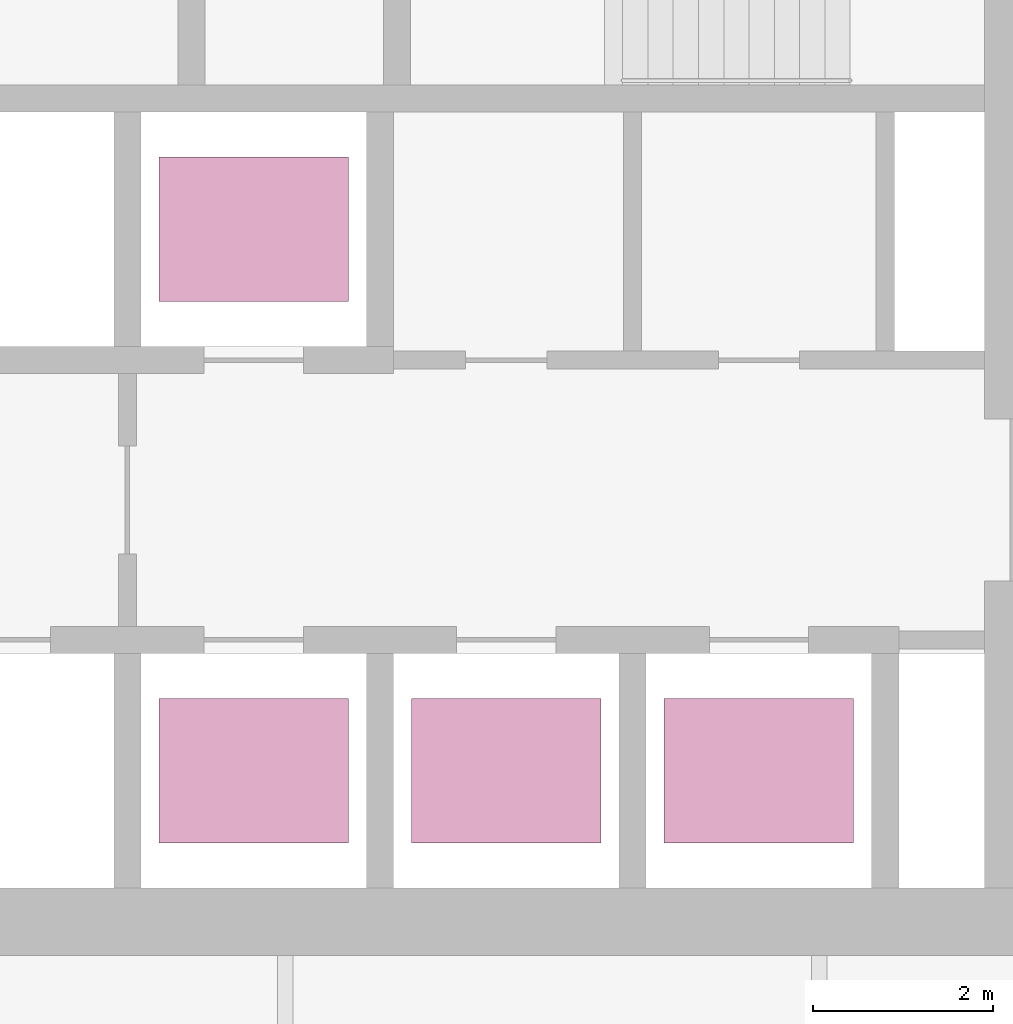
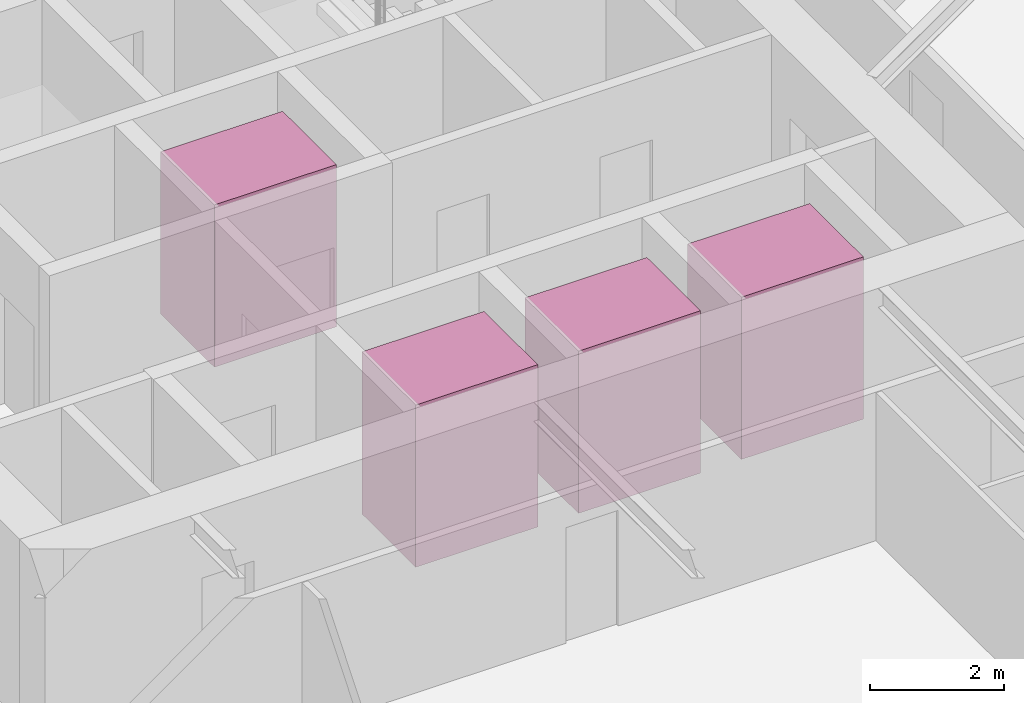
# One storey, part 15 of 15: 4 transport elements.
"""IFC4 building model written with IfcOpenShell, lengths in metres."""

from ifc_helpers import new_model, si_unit, direction, frame, origin, origin_2d, place, context, subcontext, project, spatial, rectangle, extrude, material, type_object, element, save


model = new_model("IFC4")

# Units and contexts
model_context = context("Model", 3, precision=1e-05, world=origin(), true_north=direction((0.0, 1.0)))
body_context = subcontext(model_context, "Body", "Model", "MODEL_VIEW")
ifc_project = project(units=[si_unit("LENGTHUNIT", "METRE"), si_unit("AREAUNIT", "SQUARE_METRE"), si_unit("VOLUMEUNIT", "CUBIC_METRE"), si_unit("PLANEANGLEUNIT", "RADIAN"), si_unit("MASSUNIT", "GRAM", prefix="KILO")], contexts=[model_context])

# Site, building, storey
site_placement = place(None, origin())
site = spatial("IfcSite", under=ifc_project, at=site_placement, CompositionType="ELEMENT")
building_placement = place(site_placement, origin())
building = spatial("IfcBuilding", under=site, at=building_placement, Name="Firuza Gate Tower and Library", CompositionType="ELEMENT")
storey_placement = place(building_placement, frame((0.0, 0.0, 309.10009765625)))
storey = spatial("IfcBuildingStorey", under=building, at=storey_placement, Name="L75", CompositionType="ELEMENT", Elevation=309.10009765625)

# Transport elements
ifc_material = material(Name="Stainless steel and glass", Category="steel")
transport_element_type = type_object("IfcTransportElementType", Name="High-rise lift car 2100x1600", PredefinedType="ELEVATOR", material=ifc_material)
for number, where, z_axis, x_axis, name in (
    (1, (74.64990234375, 70.300048828125, 0.0), (0.0, 0.0, 1.0), (1.0, 0.0, 0.0), "High-rise lift HR1"),
    (2, (77.449951171875, 70.300048828125, 0.0), (0.0, 0.0, 1.0), (1.0, 0.0, 0.0), "High-rise lift HR2"),
    (3, (80.25, 70.300048828125, 0.0), (0.0, 0.0, 1.0), (1.0, 0.0, 0.0), "High-rise lift HR3"),
    (4, (74.64990234375, 76.300048828125, 0.0), (0.0, 0.0, 1.0), (1.0, 0.0, 0.0), "High-rise lift HR4"),
):
    element("IfcTransportElement", number, at=place(storey_placement, frame(where, z_axis=z_axis, x_axis=x_axis)), inside=storey, type_object=transport_element_type, Name=name, PredefinedType="ELEVATOR", context=body_context, shape_type="SweptSolid", body=[
        extrude(rectangle(XDim=2.10009765625, YDim=1.60009765625, at=origin_2d()), origin(), (0.0, 0.0, 1.0), 2.949951171875),
    ])

save(model, "model.ifc")
